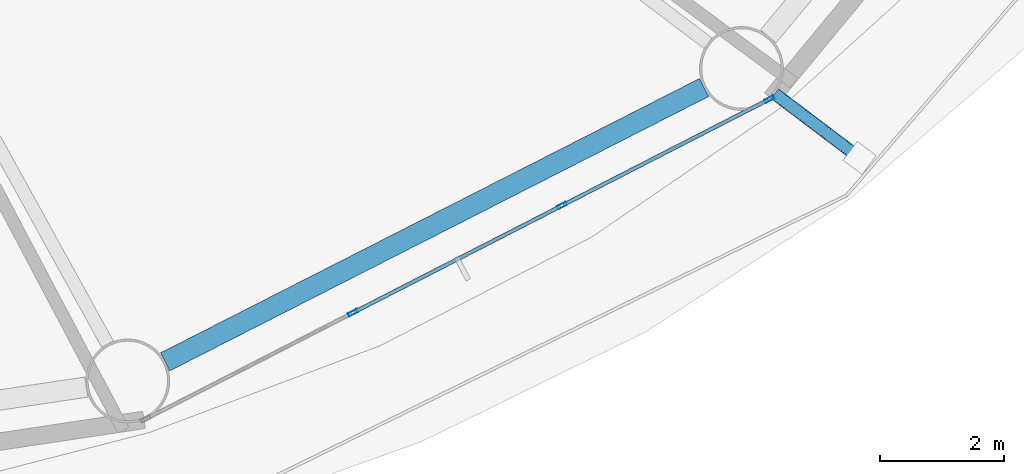
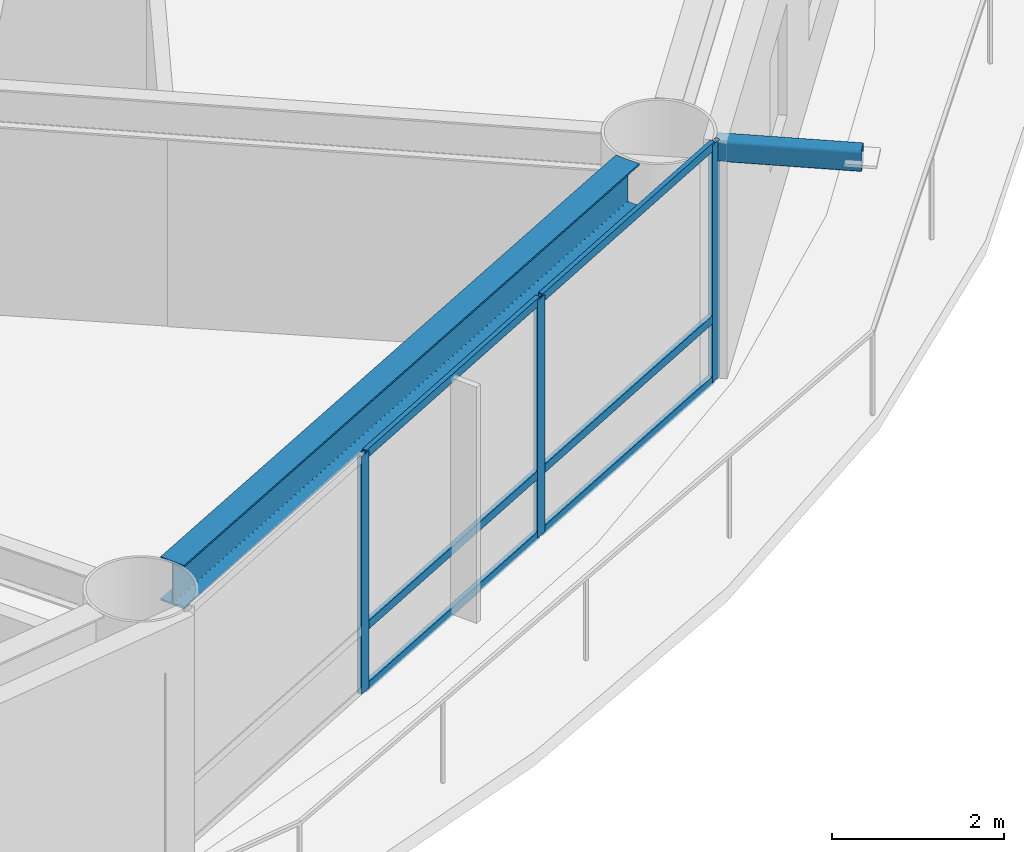
# One storey, part 8 of 26: 10 members, 1 beam, 1 element without a shape of its own.
"""IFC4 building model written with IfcOpenShell, lengths in metres."""

from ifc_helpers import new_model, si_unit, direction, frame, origin, origin_2d, place, context, subcontext, project, spatial, hollow_rectangle, i_section, extrude, material, layer, layer_set, material_profile, profile_set, type_object, element, aggregate, save


model = new_model("IFC4")

# Units and contexts
model_context = context("Model", 3, precision=1e-05, world=origin(), true_north=direction((0.0, 1.0)))
body_context = subcontext(model_context, "Body", "Model", "MODEL_VIEW")
ifc_project = project(units=[si_unit("LENGTHUNIT", "METRE"), si_unit("AREAUNIT", "SQUARE_METRE"), si_unit("VOLUMEUNIT", "CUBIC_METRE"), si_unit("PLANEANGLEUNIT", "RADIAN"), si_unit("MASSUNIT", "GRAM", prefix="KILO")], contexts=[model_context])

# Site, building, storey
site_placement = place(None, origin())
site = spatial("IfcSite", under=ifc_project, at=site_placement, CompositionType="ELEMENT")
building_placement = place(site_placement, origin())
building = spatial("IfcBuilding", under=site, at=building_placement, Name="Sarneth Arch Tower", CompositionType="ELEMENT")
storey_placement = place(building_placement, frame((0.0, 0.0, 39.0)))
storey = spatial("IfcBuildingStorey", under=building, at=storey_placement, Name="L08", CompositionType="ELEMENT", Elevation=39.0)

# Beam
ifc_material_1 = material(Name="Steel S355", Category="steel")
ifc_material_profile_1 = material_profile(ifc_material_1, i_section(OverallWidth=0.326904296875, OverallDepth=0.6220703125, WebThickness=0.015380859375, FlangeThickness=0.0244140625, FilletRadius=0.01904296875, at=origin_2d()), Name="W610x195")
ifc_profile_set_1 = profile_set([ifc_material_profile_1], Name="Steel S355")
beam_type = type_object("IfcBeamType", Name="BM-SPAN-610A", PredefinedType="SPANDREL", material=ifc_profile_set_1)
beam_placement = place(storey_placement, frame((60.41943359375, 20.872314453125, 3.069091796875), z_axis=(0.8911738076, 0.453662037919, 0.0), x_axis=(-0.453662037919, 0.8911738076, 0.0)))
element("IfcBeam", 1, at=beam_placement, inside=storey, type_object=beam_type, Name="L08 Perimeter spandrel beam 14", PredefinedType="SPANDREL", context=body_context, shape_type="SweptSolid", body=[
    extrude(i_section(OverallWidth=0.326904296875, OverallDepth=0.6220703125, WebThickness=0.015380859375, FlangeThickness=0.0244140625, FilletRadius=0.01904296875, at=origin_2d()), origin(), (0.0, 0.0, 1.0), 9.735107421875),
])

# Curtain wall, members
ifc_material_2 = material(Name="Anodised aluminium Type AA25 and solar-control low-e laminated IGU", Category="aluminium")
ifc_layer = layer(ifc_material_2, 0.159912109375)
ifc_layer_set = layer_set([ifc_layer], Name="Anodised aluminium Type AA25 and solar-control low-e laminated IGU")
curtain_wall_type = type_object("IfcCurtainWallType", Name="CW-HOTEL-LOW", PredefinedType="NOTDEFINED", material=ifc_layer_set)
curtain_wall_placement = place(storey_placement, origin())
curtain_wall = element("IfcCurtainWall", 2, at=curtain_wall_placement, inside=storey, type_object=curtain_wall_type, Name="L08 Unitised curtain wall facet 14", PredefinedType="NOTDEFINED")
ifc_material_3 = material(Name="Anodised Aluminium 6063-T6", Category="aluminium")
ifc_material_profile_2 = material_profile(ifc_material_3, hollow_rectangle(XDim=0.06005859375, YDim=0.159912109375, WallThickness=0.00390625, at=origin_2d()), Name="AL-MULL-160x60x4")
ifc_profile_set_2 = profile_set([ifc_material_profile_2], Name="Anodised Aluminium 6063-T6")
member_type_1 = type_object("IfcMemberType", Name="CW-MULLION", PredefinedType="MULLION", material=ifc_profile_set_2)
member_1_placement = place(storey_placement, frame((63.443359375, 21.663330078125, 0.0), z_axis=(0.0, 0.0, 1.0), x_axis=(-0.456245197127, 0.889854100456, 0.0)))
member_1 = element("IfcMember", 3, at=member_1_placement, type_object=member_type_1, Name="CW-SYS-3 mullion 2", PredefinedType="MULLION", context=body_context, shape_type="SweptSolid", body=[
    extrude(hollow_rectangle(XDim=0.06005859375, YDim=0.159912109375, WallThickness=0.00390625, at=origin_2d()), origin(), (0.0, 0.0, 1.0), 3.3798828125),
])
member_2_placement = place(storey_placement, frame((66.80859375, 23.388671875, 0.0), z_axis=(0.0, 0.0, 1.0), x_axis=(-0.456245197127, 0.889854100456, 0.0)))
member_2 = element("IfcMember", 4, at=member_2_placement, type_object=member_type_1, Name="CW-SYS-3 mullion 3", PredefinedType="MULLION", context=body_context, shape_type="SweptSolid", body=[
    extrude(hollow_rectangle(XDim=0.06005859375, YDim=0.159912109375, WallThickness=0.00390625, at=origin_2d()), origin(), (0.0, 0.0, 1.0), 3.3798828125),
])
member_3_placement = place(storey_placement, frame((70.1474609375, 25.1005859375, 0.0), z_axis=(0.0, 0.0, 1.0), x_axis=(-0.456245197127, 0.889854100456, 0.0)))
member_3 = element("IfcMember", 5, at=member_3_placement, type_object=member_type_1, Name="CW-SYS-3 mullion 4", PredefinedType="MULLION", context=body_context, shape_type="SweptSolid", body=[
    extrude(hollow_rectangle(XDim=0.06005859375, YDim=0.159912109375, WallThickness=0.00390625, at=origin_2d()), origin(), (0.0, 0.0, 1.0), 3.3798828125),
])
ifc_material_4 = material(Name="Anodised Aluminium 6063-T6", Category="aluminium")
ifc_material_profile_3 = material_profile(ifc_material_4, hollow_rectangle(XDim=0.06005859375, YDim=0.1201171875, WallThickness=0.00390625, at=origin_2d()), Name="AL-TRAN-120x60x4")
ifc_profile_set_3 = profile_set([ifc_material_profile_3], Name="Anodised Aluminium 6063-T6")
member_type_2 = type_object("IfcMemberType", Name="CW-TRANSOM", PredefinedType="USERDEFINED", material=ifc_profile_set_3)
member_4_placement = place(storey_placement, frame((63.469970703125, 21.677001953125, 0.030029296875), z_axis=(0.889868677022, 0.456216766083, 0.0), x_axis=(-0.456216766083, 0.889868677022, 0.0)))
member_4 = element("IfcMember", 6, at=member_4_placement, type_object=member_type_2, Name="CW-SYS-3 transom 2.1", ObjectType="TRANSOM", PredefinedType="USERDEFINED", context=body_context, shape_type="SweptSolid", body=[
    extrude(hollow_rectangle(XDim=0.06005859375, YDim=0.1201171875, WallThickness=0.00390625, at=origin_2d()), origin(), (0.0, 0.0, 1.0), 3.721923828125),
])
member_5_placement = place(storey_placement, frame((63.469970703125, 21.677001953125, 0.89990234375), z_axis=(0.889868677022, 0.456216766083, 0.0), x_axis=(-0.456216766083, 0.889868677022, 0.0)))
member_5 = element("IfcMember", 7, at=member_5_placement, type_object=member_type_2, Name="CW-SYS-3 transom 2.2", ObjectType="TRANSOM", PredefinedType="USERDEFINED", context=body_context, shape_type="SweptSolid", body=[
    extrude(hollow_rectangle(XDim=0.06005859375, YDim=0.1201171875, WallThickness=0.00390625, at=origin_2d()), origin(), (0.0, 0.0, 1.0), 3.721923828125),
])
member_6_placement = place(storey_placement, frame((63.469970703125, 21.677001953125, 3.35009765625), z_axis=(0.889868677022, 0.456216766083, 0.0), x_axis=(-0.456216766083, 0.889868677022, 0.0)))
member_6 = element("IfcMember", 8, at=member_6_placement, type_object=member_type_2, Name="CW-SYS-3 transom 2.3", ObjectType="TRANSOM", PredefinedType="USERDEFINED", context=body_context, shape_type="SweptSolid", body=[
    extrude(hollow_rectangle(XDim=0.06005859375, YDim=0.1201171875, WallThickness=0.00390625, at=origin_2d()), origin(), (0.0, 0.0, 1.0), 3.721923828125),
])
member_7_placement = place(storey_placement, frame((66.83544921875, 23.402587890625, 0.030029296875), z_axis=(0.889871845224, 0.456210586327, 0.0), x_axis=(-0.456210586327, 0.889871845224, 0.0)))
member_7 = element("IfcMember", 9, at=member_7_placement, type_object=member_type_2, Name="CW-SYS-3 transom 3.1", ObjectType="TRANSOM", PredefinedType="USERDEFINED", context=body_context, shape_type="SweptSolid", body=[
    extrude(hollow_rectangle(XDim=0.06005859375, YDim=0.1201171875, WallThickness=0.00390625, at=origin_2d()), origin(), (0.0, 0.0, 1.0), 3.69189453125),
])
member_8_placement = place(storey_placement, frame((66.83544921875, 23.402587890625, 0.89990234375), z_axis=(0.889871845224, 0.456210586327, 0.0), x_axis=(-0.456210586327, 0.889871845224, 0.0)))
member_8 = element("IfcMember", 10, at=member_8_placement, type_object=member_type_2, Name="CW-SYS-3 transom 3.2", ObjectType="TRANSOM", PredefinedType="USERDEFINED", context=body_context, shape_type="SweptSolid", body=[
    extrude(hollow_rectangle(XDim=0.06005859375, YDim=0.1201171875, WallThickness=0.00390625, at=origin_2d()), origin(), (0.0, 0.0, 1.0), 3.69189453125),
])
member_9_placement = place(storey_placement, frame((66.83544921875, 23.402587890625, 3.35009765625), z_axis=(0.889871845224, 0.456210586327, 0.0), x_axis=(-0.456210586327, 0.889871845224, 0.0)))
member_9 = element("IfcMember", 11, at=member_9_placement, type_object=member_type_2, Name="CW-SYS-3 transom 3.3", ObjectType="TRANSOM", PredefinedType="USERDEFINED", context=body_context, shape_type="SweptSolid", body=[
    extrude(hollow_rectangle(XDim=0.06005859375, YDim=0.1201171875, WallThickness=0.00390625, at=origin_2d()), origin(), (0.0, 0.0, 1.0), 3.69189453125),
])
aggregate(curtain_wall, [member_1, member_2, member_3, member_4, member_5, member_6, member_7, member_8, member_9])

# Member
ifc_material_5 = material(Name="Steel S355", Category="steel")
ifc_material_profile_4 = material_profile(ifc_material_5, hollow_rectangle(XDim=0.199951171875, YDim=0.300048828125, WallThickness=0.012451171875, InnerFilletRadius=0.018798828125, OuterFilletRadius=0.03125, at=origin_2d()), Name="RHS300x200x12.5")
ifc_profile_set_4 = profile_set([ifc_material_profile_4], Name="Steel S355")
member_type_3 = type_object("IfcMemberType", Name="MEM-CANT-STRUT", PredefinedType="STRUT", material=ifc_profile_set_4)
member_10_placement = place(storey_placement, frame((70.235107421875, 25.18798828125, 3.219970703125), z_axis=(0.797666026113, -0.603099420316, 0.0), x_axis=(0.603099420316, 0.797666026113, 0.0)))
element("IfcMember", 12, at=member_10_placement, inside=storey, type_object=member_type_3, Name="L08 Balcony cantilever bracket 15", PredefinedType="STRUT", context=body_context, shape_type="SweptSolid", body=[
    extrude(hollow_rectangle(XDim=0.199951171875, YDim=0.300048828125, WallThickness=0.012451171875, InnerFilletRadius=0.018798828125, OuterFilletRadius=0.03125, at=origin_2d()), origin(), (0.0, 0.0, 1.0), 1.71142578125),
])

save(model, "model.ifc")
